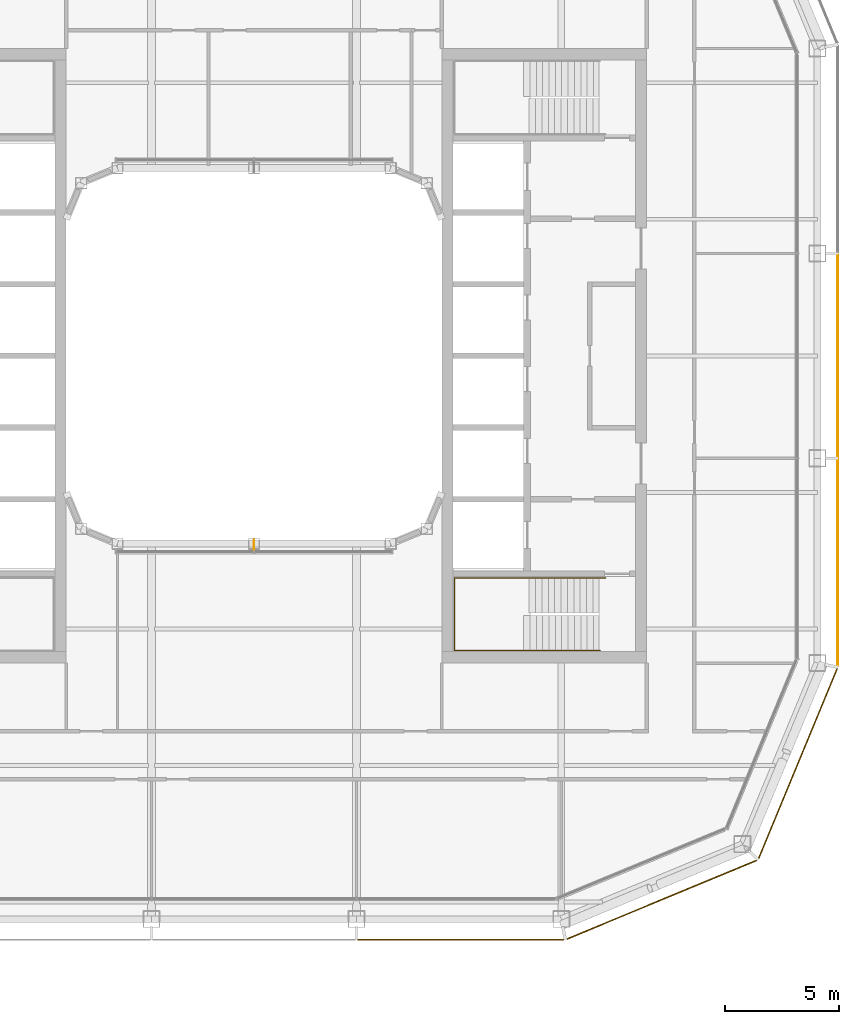
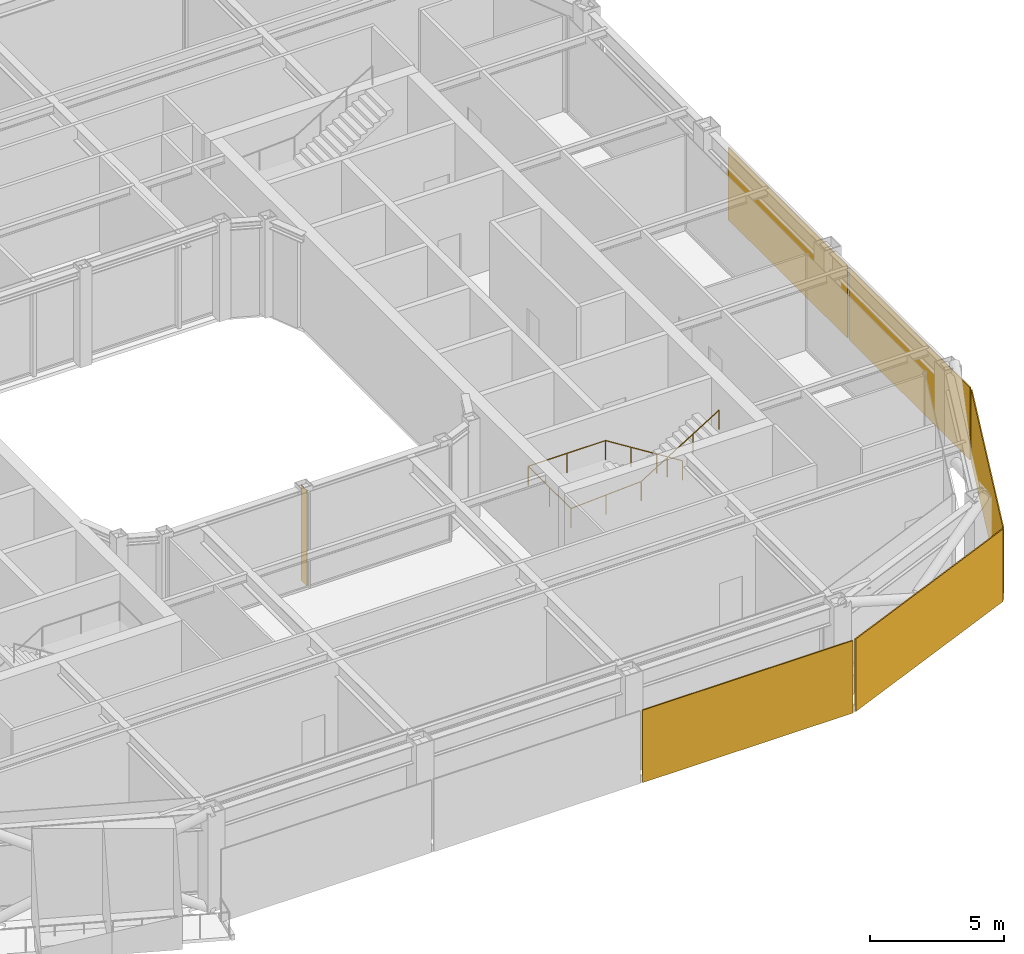
# One storey, part 17 of 20: 5 coverings, 1 railing, 1 shading device.
"""IFC4 building model written with IfcOpenShell, lengths in metres."""

from ifc_helpers import new_model, si_unit, direction, frame, origin, origin_2d, place, context, subcontext, project, spatial, rectangle, circle, extrude, material, layer, layer_set, type_object, element, save


model = new_model("IFC4")

# Units and contexts
model_context = context("Model", 3, precision=1e-05, world=origin(), true_north=direction((0.0, 1.0)))
body_context = subcontext(model_context, "Body", "Model", "MODEL_VIEW")
ifc_project = project(units=[si_unit("LENGTHUNIT", "METRE"), si_unit("AREAUNIT", "SQUARE_METRE"), si_unit("VOLUMEUNIT", "CUBIC_METRE"), si_unit("PLANEANGLEUNIT", "RADIAN"), si_unit("MASSUNIT", "GRAM", prefix="KILO")], contexts=[model_context])

# Site, building, storey
site_placement = place(None, origin())
site = spatial("IfcSite", under=ifc_project, at=site_placement, CompositionType="ELEMENT")
building_placement = place(site_placement, origin())
building = spatial("IfcBuilding", under=site, at=building_placement, Name="Siwar Civic Tower", CompositionType="ELEMENT")
storey_placement = place(building_placement, frame((0.0, 0.0, 298.699951171875)))
storey = spatial("IfcBuildingStorey", under=building, at=storey_placement, Name="L64", CompositionType="ELEMENT", Elevation=298.699951171875)

# Railing
ifc_material_1 = material(Name="Stainless steel", Category="steel")
railing_type = type_object("IfcRailingType", Name="CORE-STAIR-HANDRAIL", PredefinedType="HANDRAIL", material=ifc_material_1)
railing_placement = place(storey_placement, frame((15.449951171875, -9.758056640625, 0.173095703125)))
element("IfcRailing", 1, at=railing_placement, inside=storey, type_object=railing_type, Name="Stair handrail ST4", PredefinedType="HANDRAIL", context=body_context, shape_type="SweptSolid", body=[
    extrude(circle(Radius=0.02001953125, at=origin_2d()), frame((0.0, 0.0, 0.8798828125), z_axis=(-0.847063342986, 0.0, 0.531491950051), x_axis=(0.0, -1.0, 0.0)), (0.0, 0.0, 1.0), 3.90771484375),
    extrude(circle(Radius=0.02001953125, at=origin_2d()), frame((-3.31005859375, 0.0, 2.956787109375), z_axis=(-1.0, 0.0, 0.0), x_axis=(0.0, -1.0, 0.0)), (0.0, 0.0, 1.0), 3.331787109375),
    extrude(circle(Radius=0.02001953125, at=origin_2d()), frame((-6.641845703125, 0.0, 2.956787109375), z_axis=(0.0, -1.0, 0.0), x_axis=(1.0, 0.0, 0.0)), (0.0, 0.0, 1.0), 3.183837890625),
    extrude(circle(Radius=0.02001953125, at=origin_2d()), frame((-6.641845703125, -3.183837890625, 2.956787109375), z_axis=(0.99837434197, 0.0, 0.056997134106), x_axis=(0.0, 1.0, 0.0)), (0.0, 0.0, 1.0), 3.036865234375),
    extrude(circle(Radius=0.02001953125, at=origin_2d()), frame((-3.60986328125, -3.183837890625, 3.1298828125), z_axis=(0.850606129759, 0.0, 0.525803396734), x_axis=(0.0, 1.0, 0.0)), (0.0, 0.0, 1.0), 3.949951171875),
    extrude(circle(Radius=0.02001953125, at=origin_2d()), origin(), (0.0, 0.0, 1.0), 0.85986328125),
    extrude(circle(Radius=0.02001953125, at=origin_2d()), frame((-1.103271484375, 0.0, 0.6923828125)), (0.0, 0.0, 1.0), 0.85986328125),
    extrude(circle(Radius=0.02001953125, at=origin_2d()), frame((-2.206787109375, 0.0, 1.384521484375)), (0.0, 0.0, 1.0), 0.85986328125),
    extrude(circle(Radius=0.02001953125, at=origin_2d()), frame((-3.31005859375, 0.0, 2.076904296875)), (0.0, 0.0, 1.0), 0.85986328125),
    extrude(circle(Radius=0.02001953125, at=origin_2d()), frame((-4.97607421875, 0.0, 2.076904296875)), (0.0, 0.0, 1.0), 0.85986328125),
    extrude(circle(Radius=0.02001953125, at=origin_2d()), frame((-6.641845703125, 0.0, 2.076904296875)), (0.0, 0.0, 1.0), 0.85986328125),
    extrude(circle(Radius=0.02001953125, at=origin_2d()), frame((-6.641845703125, -1.591796875, 2.076904296875)), (0.0, 0.0, 1.0), 0.85986328125),
    extrude(circle(Radius=0.02001953125, at=origin_2d()), frame((-6.641845703125, -3.183837890625, 2.076904296875)), (0.0, 0.0, 1.0), 0.85986328125),
    extrude(circle(Radius=0.02001953125, at=origin_2d()), frame((-5.1259765625, -3.183837890625, 2.16357421875)), (0.0, 0.0, 1.0), 0.85986328125),
    extrude(circle(Radius=0.02001953125, at=origin_2d()), frame((-3.60986328125, -3.183837890625, 2.25)), (0.0, 0.0, 1.0), 0.85986328125),
    extrude(circle(Radius=0.02001953125, at=origin_2d()), frame((-2.489990234375, -3.183837890625, 2.9423828125)), (0.0, 0.0, 1.0), 0.85986328125),
    extrude(circle(Radius=0.02001953125, at=origin_2d()), frame((-1.369873046875, -3.183837890625, 3.634521484375)), (0.0, 0.0, 1.0), 0.85986328125),
    extrude(circle(Radius=0.02001953125, at=origin_2d()), frame((-0.25, -3.183837890625, 4.326904296875)), (0.0, 0.0, 1.0), 0.85986328125),
])

# Shading device
ifc_material_2 = material(Name="Aluminium 6063-T6", Category="aluminium")
ifc_layer_1 = layer(ifc_material_2, 0.02001953125)
ifc_layer_set_1 = layer_set([ifc_layer_1], Name="Aluminium 6063-T6")
shading_device_type = type_object("IfcShadingDeviceType", Name="ENV-FIN", PredefinedType="JALOUSIE", material=ifc_layer_set_1)
shading_device_placement = place(storey_placement, frame((0.0, -8.294921875, 0.0), z_axis=(0.0, 0.0, 1.0), x_axis=(1.0, 0.0, 0.0)))
element("IfcShadingDevice", 2, at=shading_device_placement, inside=storey, type_object=shading_device_type, Name="SUNSHADE fin WS 1", PredefinedType="JALOUSIE", context=body_context, shape_type="SweptSolid", body=[
    extrude(rectangle(XDim=0.02001953125, YDim=0.449951171875, at=origin_2d()), origin(), (0.0, 0.0, 1.0), 4.35009765625),
])

# Coverings
ifc_material_3 = material(Name="Perforated aluminium cassette, pale metal", Category="aluminium")
ifc_layer_2 = layer(ifc_material_3, 0.0400390625)
ifc_layer_set_2 = layer_set([ifc_layer_2], Name="Perforated aluminium cassette, pale metal")
covering_type_1 = type_object("IfcCoveringType", Name="ENV-OUTER SKIN OS-1", PredefinedType="CLADDING", material=ifc_layer_set_2)
covering_1_placement = place(storey_placement, frame((25.64990234375, -9.07958984375, -0.14990234375), z_axis=(0.0, 0.0, 1.0), x_axis=(0.0, 1.0, 0.0)))
element("IfcCovering", 3, at=covering_1_placement, inside=storey, type_object=covering_type_1, Name="OUTER SKIN OS-1 E 1", PredefinedType="CLADDING", context=body_context, shape_type="SweptSolid", body=[
    extrude(rectangle(XDim=9.05908203125, YDim=0.0400390625, at=origin_2d()), origin(), (0.0, 0.0, 1.0), 3.300048828125),
])
covering_2_placement = place(storey_placement, frame((25.64990234375, 0.0, -0.14990234375), z_axis=(0.0, 0.0, 1.0), x_axis=(0.0, 1.0, 0.0)))
element("IfcCovering", 4, at=covering_2_placement, inside=storey, type_object=covering_type_1, Name="OUTER SKIN OS-1 E 2", PredefinedType="CLADDING", context=body_context, shape_type="SweptSolid", body=[
    extrude(rectangle(XDim=8.89990234375, YDim=0.0400390625, at=origin_2d()), origin(), (0.0, 0.0, 1.0), 3.300048828125),
])
ifc_material_4 = material(Name="Perforated aluminium cassette, pale metal", Category="aluminium")
ifc_layer_3 = layer(ifc_material_4, 0.044921875)
ifc_layer_set_3 = layer_set([ifc_layer_3], Name="Perforated aluminium cassette, pale metal")
covering_type_2 = type_object("IfcCoveringType", Name="ENV-OUTER SKIN OS-2", PredefinedType="CLADDING", material=ifc_layer_set_3)
covering_3_placement = place(storey_placement, frame((23.89697265625, -17.911376953125, -0.14990234375), z_axis=(0.0, 0.0, 1.0), x_axis=(0.382683432365, 0.923879532511, 0.0)))
element("IfcCovering", 5, at=covering_3_placement, inside=storey, type_object=covering_type_2, Name="OUTER SKIN OS-2 SE2 1", PredefinedType="CLADDING", context=body_context, shape_type="SweptSolid", body=[
    extrude(rectangle(XDim=9.022216796875, YDim=0.044921875, at=origin_2d()), origin(), (0.0, 0.0, 1.0), 3.300048828125),
])
ifc_material_5 = material(Name="Perforated aluminium cassette, pale metal", Category="aluminium")
ifc_layer_4 = layer(ifc_material_5, 0.050048828125)
ifc_layer_set_4 = layer_set([ifc_layer_4], Name="Perforated aluminium cassette, pale metal")
covering_type_3 = type_object("IfcCoveringType", Name="ENV-OUTER SKIN OS-3", PredefinedType="CLADDING", material=ifc_layer_set_4)
covering_4_placement = place(storey_placement, frame((17.911376953125, -23.89697265625, -0.14990234375), z_axis=(0.0, 0.0, 1.0), x_axis=(0.923879532511, 0.382683432365, 0.0)))
element("IfcCovering", 6, at=covering_4_placement, inside=storey, type_object=covering_type_3, Name="OUTER SKIN OS-3 SE1 1", PredefinedType="CLADDING", context=body_context, shape_type="SweptSolid", body=[
    extrude(rectangle(XDim=9.022216796875, YDim=0.050048828125, at=origin_2d()), origin(), (0.0, 0.0, 1.0), 3.300048828125),
])
ifc_material_6 = material(Name="Perforated aluminium cassette, pale metal", Category="aluminium")
ifc_layer_5 = layer(ifc_material_6, 0.054931640625)
ifc_layer_set_5 = layer_set([ifc_layer_5], Name="Perforated aluminium cassette, pale metal")
covering_type_4 = type_object("IfcCoveringType", Name="ENV-OUTER SKIN OS-4", PredefinedType="CLADDING", material=ifc_layer_set_5)
covering_5_placement = place(storey_placement, frame((9.07958984375, -25.64990234375, -0.14990234375), z_axis=(0.0, 0.0, 1.0), x_axis=(1.0, 0.0, 0.0)))
element("IfcCovering", 7, at=covering_5_placement, inside=storey, type_object=covering_type_4, Name="OUTER SKIN OS-4 S 3", PredefinedType="CLADDING", context=body_context, shape_type="SweptSolid", body=[
    extrude(rectangle(XDim=9.05908203125, YDim=0.054931640625, at=origin_2d()), origin(), (0.0, 0.0, 1.0), 3.300048828125),
])

save(model, "model.ifc")
